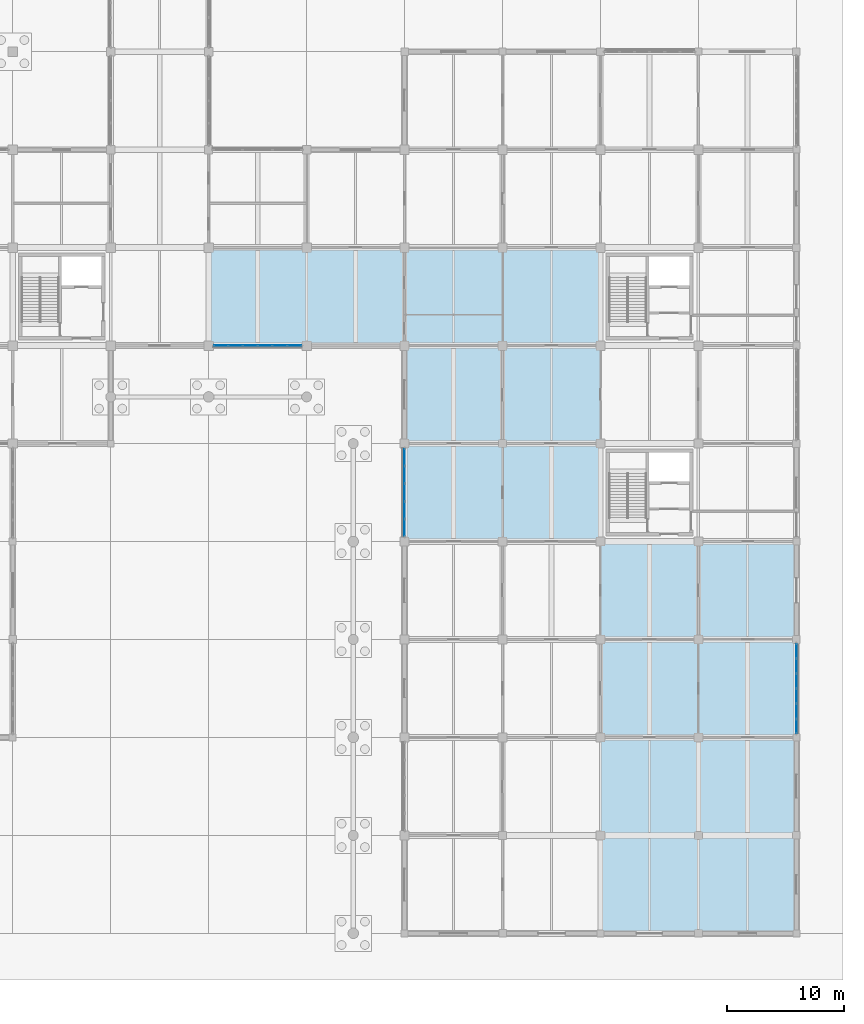
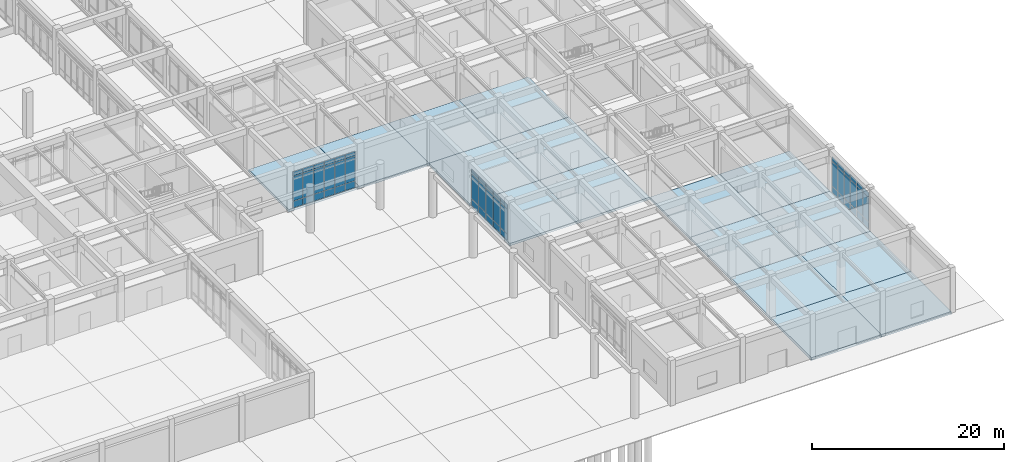
# One storey, part 60 of 91: 51 plates, 16 slabs, 3 elements without a shape of their own.
"""IFC4 building model written with IfcOpenShell, lengths in metres."""

from ifc_helpers import new_model, si_unit, direction, frame, origin, origin_2d, place, context, subcontext, project, spatial, polyline, rectangle, outline, extrude, material, layer, layer_set, type_object, element, aggregate, save


model = new_model("IFC4")

# Units and contexts
model_context = context("Model", 3, precision=1e-05, world=origin(), true_north=direction((0.0, 1.0)))
body_context = subcontext(model_context, "Body", "Model", "MODEL_VIEW")
ifc_project = project(units=[si_unit("LENGTHUNIT", "METRE"), si_unit("AREAUNIT", "SQUARE_METRE"), si_unit("VOLUMEUNIT", "CUBIC_METRE"), si_unit("PLANEANGLEUNIT", "RADIAN"), si_unit("MASSUNIT", "GRAM", prefix="KILO")], contexts=[model_context])

# Site, building, storey
site_placement = place(None, origin())
site = spatial("IfcSite", under=ifc_project, at=site_placement, CompositionType="ELEMENT")
building_placement = place(site_placement, origin())
building = spatial("IfcBuilding", under=site, at=building_placement, Name="Porcellanite Civic Hall", CompositionType="ELEMENT")
storey_placement = place(building_placement, origin())
storey = spatial("IfcBuildingStorey", under=building, at=storey_placement, Name="L00", CompositionType="ELEMENT", Elevation=0.0)

# Curtain wall, plates
ifc_material_1 = material(Name="Anodised aluminium and solar laminated glass", Category="aluminium")
ifc_layer_1 = layer(ifc_material_1, 0.179931640625)
ifc_layer_set_1 = layer_set([ifc_layer_1], Name="Anodised aluminium and solar laminated glass")
curtain_wall_type_1 = type_object("IfcCurtainWallType", Name="CW-SYS02", PredefinedType="NOTDEFINED", material=ifc_layer_set_1)
curtain_wall_1_placement = place(storey_placement, origin())
curtain_wall_1 = element("IfcCurtainWall", 1, at=curtain_wall_1_placement, inside=storey, type_object=curtain_wall_type_1, Name="Curtain wall CW-050", PredefinedType="NOTDEFINED")
ifc_material_2 = material(Name="Cyclone laminated solar-control low-E glass", Category="glass")
ifc_layer_2 = layer(ifc_material_2, 0.02587890625)
ifc_layer_set_2 = layer_set([ifc_layer_2], Name="Cyclone laminated solar-control low-E glass")
plate_type_1 = type_object("IfcPlateType", Name="CWP-02", PredefinedType="CURTAIN_PANEL", material=ifc_layer_set_2)
plate_1_placement = place(storey_placement, frame((142.800048828125, 34.779541015625, 0.06494140625), z_axis=(0.0, 0.0, 1.0), x_axis=(0.0, 1.0, 0.0)))
plate_1 = element("IfcPlate", 2, at=plate_1_placement, type_object=plate_type_1, Name="CW-050 panel 1.1", PredefinedType="CURTAIN_PANEL", context=body_context, shape_type="SweptSolid", body=[
    extrude(rectangle(XDim=1.406982421875, YDim=0.02587890625, at=origin_2d()), origin(), (0.0, 0.0, 1.0), 0.802490234375),
])
plate_2_placement = place(storey_placement, frame((142.800048828125, 34.779541015625, 0.9326171875), z_axis=(0.0, 0.0, 1.0), x_axis=(0.0, 1.0, 0.0)))
plate_2 = element("IfcPlate", 3, at=plate_2_placement, type_object=plate_type_1, Name="CW-050 panel 1.2", PredefinedType="CURTAIN_PANEL", context=body_context, shape_type="SweptSolid", body=[
    extrude(rectangle(XDim=1.406982421875, YDim=0.02587890625, at=origin_2d()), origin(), (0.0, 0.0, 1.0), 3.0849609375),
])
plate_3_placement = place(storey_placement, frame((142.800048828125, 34.779541015625, 4.08251953125), z_axis=(0.0, 0.0, 1.0), x_axis=(0.0, 1.0, 0.0)))
plate_3 = element("IfcPlate", 4, at=plate_3_placement, type_object=plate_type_1, Name="CW-050 panel 1.3", PredefinedType="CURTAIN_PANEL", context=body_context, shape_type="SweptSolid", body=[
    extrude(rectangle(XDim=1.406982421875, YDim=0.02587890625, at=origin_2d()), origin(), (0.0, 0.0, 1.0), 0.552490234375),
])
plate_4_placement = place(storey_placement, frame((142.800048828125, 36.280517578125, 0.06494140625), z_axis=(0.0, 0.0, 1.0), x_axis=(0.0, 1.0, 0.0)))
plate_4 = element("IfcPlate", 5, at=plate_4_placement, type_object=plate_type_1, Name="CW-050 panel 2.1", PredefinedType="CURTAIN_PANEL", context=body_context, shape_type="SweptSolid", body=[
    extrude(rectangle(XDim=1.444580078125, YDim=0.02587890625, at=origin_2d()), origin(), (0.0, 0.0, 1.0), 0.802490234375),
])
plate_5_placement = place(storey_placement, frame((142.800048828125, 36.280517578125, 0.9326171875), z_axis=(0.0, 0.0, 1.0), x_axis=(0.0, 1.0, 0.0)))
plate_5 = element("IfcPlate", 6, at=plate_5_placement, type_object=plate_type_1, Name="CW-050 panel 2.2", PredefinedType="CURTAIN_PANEL", context=body_context, shape_type="SweptSolid", body=[
    extrude(rectangle(XDim=1.444580078125, YDim=0.02587890625, at=origin_2d()), origin(), (0.0, 0.0, 1.0), 3.0849609375),
])
plate_6_placement = place(storey_placement, frame((142.800048828125, 36.280517578125, 4.08251953125), z_axis=(0.0, 0.0, 1.0), x_axis=(0.0, 1.0, 0.0)))
plate_6 = element("IfcPlate", 7, at=plate_6_placement, type_object=plate_type_1, Name="CW-050 panel 2.3", PredefinedType="CURTAIN_PANEL", context=body_context, shape_type="SweptSolid", body=[
    extrude(rectangle(XDim=1.444580078125, YDim=0.02587890625, at=origin_2d()), origin(), (0.0, 0.0, 1.0), 0.552490234375),
])
plate_7_placement = place(storey_placement, frame((142.800048828125, 37.800048828125, 0.06494140625), z_axis=(0.0, 0.0, 1.0), x_axis=(0.0, 1.0, 0.0)))
plate_7 = element("IfcPlate", 8, at=plate_7_placement, type_object=plate_type_1, Name="CW-050 panel 3.1", PredefinedType="CURTAIN_PANEL", context=body_context, shape_type="SweptSolid", body=[
    extrude(rectangle(XDim=1.444580078125, YDim=0.02587890625, at=origin_2d()), origin(), (0.0, 0.0, 1.0), 0.802490234375),
])
plate_8_placement = place(storey_placement, frame((142.800048828125, 37.800048828125, 0.9326171875), z_axis=(0.0, 0.0, 1.0), x_axis=(0.0, 1.0, 0.0)))
plate_8 = element("IfcPlate", 9, at=plate_8_placement, type_object=plate_type_1, Name="CW-050 panel 3.2", PredefinedType="CURTAIN_PANEL", context=body_context, shape_type="SweptSolid", body=[
    extrude(rectangle(XDim=1.444580078125, YDim=0.02587890625, at=origin_2d()), origin(), (0.0, 0.0, 1.0), 3.0849609375),
])
plate_9_placement = place(storey_placement, frame((142.800048828125, 37.800048828125, 4.08251953125), z_axis=(0.0, 0.0, 1.0), x_axis=(0.0, 1.0, 0.0)))
plate_9 = element("IfcPlate", 10, at=plate_9_placement, type_object=plate_type_1, Name="CW-050 panel 3.3", PredefinedType="CURTAIN_PANEL", context=body_context, shape_type="SweptSolid", body=[
    extrude(rectangle(XDim=1.444580078125, YDim=0.02587890625, at=origin_2d()), origin(), (0.0, 0.0, 1.0), 0.552490234375),
])
plate_10_placement = place(storey_placement, frame((142.800048828125, 39.319580078125, 0.06494140625), z_axis=(0.0, 0.0, 1.0), x_axis=(0.0, 1.0, 0.0)))
plate_10 = element("IfcPlate", 11, at=plate_10_placement, type_object=plate_type_1, Name="CW-050 panel 4.1", PredefinedType="CURTAIN_PANEL", context=body_context, shape_type="SweptSolid", body=[
    extrude(rectangle(XDim=1.444580078125, YDim=0.02587890625, at=origin_2d()), origin(), (0.0, 0.0, 1.0), 0.802490234375),
])
plate_11_placement = place(storey_placement, frame((142.800048828125, 39.319580078125, 0.9326171875), z_axis=(0.0, 0.0, 1.0), x_axis=(0.0, 1.0, 0.0)))
plate_11 = element("IfcPlate", 12, at=plate_11_placement, type_object=plate_type_1, Name="CW-050 panel 4.2", PredefinedType="CURTAIN_PANEL", context=body_context, shape_type="SweptSolid", body=[
    extrude(rectangle(XDim=1.444580078125, YDim=0.02587890625, at=origin_2d()), origin(), (0.0, 0.0, 1.0), 3.0849609375),
])
plate_12_placement = place(storey_placement, frame((142.800048828125, 39.319580078125, 4.08251953125), z_axis=(0.0, 0.0, 1.0), x_axis=(0.0, 1.0, 0.0)))
plate_12 = element("IfcPlate", 13, at=plate_12_placement, type_object=plate_type_1, Name="CW-050 panel 4.3", PredefinedType="CURTAIN_PANEL", context=body_context, shape_type="SweptSolid", body=[
    extrude(rectangle(XDim=1.444580078125, YDim=0.02587890625, at=origin_2d()), origin(), (0.0, 0.0, 1.0), 0.552490234375),
])
plate_13_placement = place(storey_placement, frame((142.800048828125, 40.820556640625, 0.06494140625), z_axis=(0.0, 0.0, 1.0), x_axis=(0.0, 1.0, 0.0)))
plate_13 = element("IfcPlate", 14, at=plate_13_placement, type_object=plate_type_1, Name="CW-050 panel 5.1", PredefinedType="CURTAIN_PANEL", context=body_context, shape_type="SweptSolid", body=[
    extrude(rectangle(XDim=1.406982421875, YDim=0.02587890625, at=origin_2d()), origin(), (0.0, 0.0, 1.0), 0.802490234375),
])
plate_14_placement = place(storey_placement, frame((142.800048828125, 40.820556640625, 0.9326171875), z_axis=(0.0, 0.0, 1.0), x_axis=(0.0, 1.0, 0.0)))
plate_14 = element("IfcPlate", 15, at=plate_14_placement, type_object=plate_type_1, Name="CW-050 panel 5.2", PredefinedType="CURTAIN_PANEL", context=body_context, shape_type="SweptSolid", body=[
    extrude(rectangle(XDim=1.406982421875, YDim=0.02587890625, at=origin_2d()), origin(), (0.0, 0.0, 1.0), 3.0849609375),
])
plate_15_placement = place(storey_placement, frame((142.800048828125, 40.820556640625, 4.08251953125), z_axis=(0.0, 0.0, 1.0), x_axis=(0.0, 1.0, 0.0)))
plate_15 = element("IfcPlate", 16, at=plate_15_placement, type_object=plate_type_1, Name="CW-050 panel 5.3", PredefinedType="CURTAIN_PANEL", context=body_context, shape_type="SweptSolid", body=[
    extrude(rectangle(XDim=1.406982421875, YDim=0.02587890625, at=origin_2d()), origin(), (0.0, 0.0, 1.0), 0.552490234375),
])
aggregate(curtain_wall_1, [plate_1, plate_2, plate_3, plate_4, plate_5, plate_6, plate_7, plate_8, plate_9, plate_10, plate_11, plate_12, plate_13, plate_14, plate_15])

curtain_wall_2_placement = place(storey_placement, origin())
curtain_wall_2 = element("IfcCurtainWall", 17, at=curtain_wall_2_placement, inside=storey, type_object=curtain_wall_type_1, Name="Curtain wall CW-057", PredefinedType="NOTDEFINED")
plate_16_placement = place(storey_placement, frame((176.39990234375, 24.20751953125, 0.06494140625), z_axis=(0.0, 0.0, 1.0), x_axis=(0.0, -1.0, 0.0)))
plate_16 = element("IfcPlate", 18, at=plate_16_placement, type_object=plate_type_1, Name="CW-057 panel 1.1", PredefinedType="CURTAIN_PANEL", context=body_context, shape_type="SweptSolid", body=[
    extrude(rectangle(XDim=1.18310546875, YDim=0.02587890625, at=origin_2d()), origin(), (0.0, 0.0, 1.0), 0.802490234375),
])
plate_17_placement = place(storey_placement, frame((176.39990234375, 24.20751953125, 0.9326171875), z_axis=(0.0, 0.0, 1.0), x_axis=(0.0, -1.0, 0.0)))
plate_17 = element("IfcPlate", 19, at=plate_17_placement, type_object=plate_type_1, Name="CW-057 panel 1.2", PredefinedType="CURTAIN_PANEL", context=body_context, shape_type="SweptSolid", body=[
    extrude(rectangle(XDim=1.18310546875, YDim=0.02587890625, at=origin_2d()), origin(), (0.0, 0.0, 1.0), 3.0849609375),
])
plate_18_placement = place(storey_placement, frame((176.39990234375, 24.20751953125, 4.08251953125), z_axis=(0.0, 0.0, 1.0), x_axis=(0.0, -1.0, 0.0)))
plate_18 = element("IfcPlate", 20, at=plate_18_placement, type_object=plate_type_1, Name="CW-057 panel 1.3", PredefinedType="CURTAIN_PANEL", context=body_context, shape_type="SweptSolid", body=[
    extrude(rectangle(XDim=1.18310546875, YDim=0.02587890625, at=origin_2d()), origin(), (0.0, 0.0, 1.0), 0.552490234375),
])
plate_19_placement = place(storey_placement, frame((176.39990234375, 22.9306640625, 0.06494140625), z_axis=(0.0, 0.0, 1.0), x_axis=(0.0, -1.0, 0.0)))
plate_19 = element("IfcPlate", 21, at=plate_19_placement, type_object=plate_type_1, Name="CW-057 panel 2.1", PredefinedType="CURTAIN_PANEL", context=body_context, shape_type="SweptSolid", body=[
    extrude(rectangle(XDim=1.220458984375, YDim=0.02587890625, at=origin_2d()), origin(), (0.0, 0.0, 1.0), 0.802490234375),
])
plate_20_placement = place(storey_placement, frame((176.39990234375, 22.9306640625, 0.9326171875), z_axis=(0.0, 0.0, 1.0), x_axis=(0.0, -1.0, 0.0)))
plate_20 = element("IfcPlate", 22, at=plate_20_placement, type_object=plate_type_1, Name="CW-057 panel 2.2", PredefinedType="CURTAIN_PANEL", context=body_context, shape_type="SweptSolid", body=[
    extrude(rectangle(XDim=1.220458984375, YDim=0.02587890625, at=origin_2d()), origin(), (0.0, 0.0, 1.0), 3.0849609375),
])
plate_21_placement = place(storey_placement, frame((176.39990234375, 22.9306640625, 4.08251953125), z_axis=(0.0, 0.0, 1.0), x_axis=(0.0, -1.0, 0.0)))
plate_21 = element("IfcPlate", 23, at=plate_21_placement, type_object=plate_type_1, Name="CW-057 panel 2.3", PredefinedType="CURTAIN_PANEL", context=body_context, shape_type="SweptSolid", body=[
    extrude(rectangle(XDim=1.220458984375, YDim=0.02587890625, at=origin_2d()), origin(), (0.0, 0.0, 1.0), 0.552490234375),
])
plate_22_placement = place(storey_placement, frame((176.39990234375, 21.63525390625, 0.06494140625), z_axis=(0.0, 0.0, 1.0), x_axis=(0.0, -1.0, 0.0)))
plate_22 = element("IfcPlate", 24, at=plate_22_placement, type_object=plate_type_1, Name="CW-057 panel 3.1", PredefinedType="CURTAIN_PANEL", context=body_context, shape_type="SweptSolid", body=[
    extrude(rectangle(XDim=1.220458984375, YDim=0.02587890625, at=origin_2d()), origin(), (0.0, 0.0, 1.0), 0.802490234375),
])
plate_23_placement = place(storey_placement, frame((176.39990234375, 21.63525390625, 0.9326171875), z_axis=(0.0, 0.0, 1.0), x_axis=(0.0, -1.0, 0.0)))
plate_23 = element("IfcPlate", 25, at=plate_23_placement, type_object=plate_type_1, Name="CW-057 panel 3.2", PredefinedType="CURTAIN_PANEL", context=body_context, shape_type="SweptSolid", body=[
    extrude(rectangle(XDim=1.220458984375, YDim=0.02587890625, at=origin_2d()), origin(), (0.0, 0.0, 1.0), 3.0849609375),
])
plate_24_placement = place(storey_placement, frame((176.39990234375, 21.63525390625, 4.08251953125), z_axis=(0.0, 0.0, 1.0), x_axis=(0.0, -1.0, 0.0)))
plate_24 = element("IfcPlate", 26, at=plate_24_placement, type_object=plate_type_1, Name="CW-057 panel 3.3", PredefinedType="CURTAIN_PANEL", context=body_context, shape_type="SweptSolid", body=[
    extrude(rectangle(XDim=1.220458984375, YDim=0.02587890625, at=origin_2d()), origin(), (0.0, 0.0, 1.0), 0.552490234375),
])
plate_25_placement = place(storey_placement, frame((176.39990234375, 20.33984375, 0.06494140625), z_axis=(0.0, 0.0, 1.0), x_axis=(0.0, -1.0, 0.0)))
plate_25 = element("IfcPlate", 27, at=plate_25_placement, type_object=plate_type_1, Name="CW-057 panel 4.1", PredefinedType="CURTAIN_PANEL", context=body_context, shape_type="SweptSolid", body=[
    extrude(rectangle(XDim=1.220458984375, YDim=0.02587890625, at=origin_2d()), origin(), (0.0, 0.0, 1.0), 0.802490234375),
])
plate_26_placement = place(storey_placement, frame((176.39990234375, 20.33984375, 0.9326171875), z_axis=(0.0, 0.0, 1.0), x_axis=(0.0, -1.0, 0.0)))
plate_26 = element("IfcPlate", 28, at=plate_26_placement, type_object=plate_type_1, Name="CW-057 panel 4.2", PredefinedType="CURTAIN_PANEL", context=body_context, shape_type="SweptSolid", body=[
    extrude(rectangle(XDim=1.220458984375, YDim=0.02587890625, at=origin_2d()), origin(), (0.0, 0.0, 1.0), 3.0849609375),
])
plate_27_placement = place(storey_placement, frame((176.39990234375, 20.33984375, 4.08251953125), z_axis=(0.0, 0.0, 1.0), x_axis=(0.0, -1.0, 0.0)))
plate_27 = element("IfcPlate", 29, at=plate_27_placement, type_object=plate_type_1, Name="CW-057 panel 4.3", PredefinedType="CURTAIN_PANEL", context=body_context, shape_type="SweptSolid", body=[
    extrude(rectangle(XDim=1.220458984375, YDim=0.02587890625, at=origin_2d()), origin(), (0.0, 0.0, 1.0), 0.552490234375),
])
plate_28_placement = place(storey_placement, frame((176.39990234375, 19.044189453125, 0.06494140625), z_axis=(0.0, 0.0, 1.0), x_axis=(0.0, -1.0, 0.0)))
plate_28 = element("IfcPlate", 30, at=plate_28_placement, type_object=plate_type_1, Name="CW-057 panel 5.1", PredefinedType="CURTAIN_PANEL", context=body_context, shape_type="SweptSolid", body=[
    extrude(rectangle(XDim=1.220458984375, YDim=0.02587890625, at=origin_2d()), origin(), (0.0, 0.0, 1.0), 0.802490234375),
])
plate_29_placement = place(storey_placement, frame((176.39990234375, 19.044189453125, 0.9326171875), z_axis=(0.0, 0.0, 1.0), x_axis=(0.0, -1.0, 0.0)))
plate_29 = element("IfcPlate", 31, at=plate_29_placement, type_object=plate_type_1, Name="CW-057 panel 5.2", PredefinedType="CURTAIN_PANEL", context=body_context, shape_type="SweptSolid", body=[
    extrude(rectangle(XDim=1.220458984375, YDim=0.02587890625, at=origin_2d()), origin(), (0.0, 0.0, 1.0), 3.0849609375),
])
plate_30_placement = place(storey_placement, frame((176.39990234375, 19.044189453125, 4.08251953125), z_axis=(0.0, 0.0, 1.0), x_axis=(0.0, -1.0, 0.0)))
plate_30 = element("IfcPlate", 32, at=plate_30_placement, type_object=plate_type_1, Name="CW-057 panel 5.3", PredefinedType="CURTAIN_PANEL", context=body_context, shape_type="SweptSolid", body=[
    extrude(rectangle(XDim=1.220458984375, YDim=0.02587890625, at=origin_2d()), origin(), (0.0, 0.0, 1.0), 0.552490234375),
])
plate_31_placement = place(storey_placement, frame((176.39990234375, 17.767578125, 0.06494140625), z_axis=(0.0, 0.0, 1.0), x_axis=(0.0, -1.0, 0.0)))
plate_31 = element("IfcPlate", 33, at=plate_31_placement, type_object=plate_type_1, Name="CW-057 panel 6.1", PredefinedType="CURTAIN_PANEL", context=body_context, shape_type="SweptSolid", body=[
    extrude(rectangle(XDim=1.18310546875, YDim=0.02587890625, at=origin_2d()), origin(), (0.0, 0.0, 1.0), 0.802490234375),
])
plate_32_placement = place(storey_placement, frame((176.39990234375, 17.767578125, 0.9326171875), z_axis=(0.0, 0.0, 1.0), x_axis=(0.0, -1.0, 0.0)))
plate_32 = element("IfcPlate", 34, at=plate_32_placement, type_object=plate_type_1, Name="CW-057 panel 6.2", PredefinedType="CURTAIN_PANEL", context=body_context, shape_type="SweptSolid", body=[
    extrude(rectangle(XDim=1.18310546875, YDim=0.02587890625, at=origin_2d()), origin(), (0.0, 0.0, 1.0), 3.0849609375),
])
plate_33_placement = place(storey_placement, frame((176.39990234375, 17.767578125, 4.08251953125), z_axis=(0.0, 0.0, 1.0), x_axis=(0.0, -1.0, 0.0)))
plate_33 = element("IfcPlate", 35, at=plate_33_placement, type_object=plate_type_1, Name="CW-057 panel 6.3", PredefinedType="CURTAIN_PANEL", context=body_context, shape_type="SweptSolid", body=[
    extrude(rectangle(XDim=1.18310546875, YDim=0.02587890625, at=origin_2d()), origin(), (0.0, 0.0, 1.0), 0.552490234375),
])
aggregate(curtain_wall_2, [plate_16, plate_17, plate_18, plate_19, plate_20, plate_21, plate_22, plate_23, plate_24, plate_25, plate_26, plate_27, plate_28, plate_29, plate_30, plate_31, plate_32, plate_33])

ifc_material_3 = material(Name="Anodised aluminium and solar laminated glass", Category="aluminium")
ifc_layer_3 = layer(ifc_material_3, 0.179931640625)
ifc_layer_set_3 = layer_set([ifc_layer_3], Name="Anodised aluminium and solar laminated glass")
curtain_wall_type_2 = type_object("IfcCurtainWallType", Name="CW-SYS07", PredefinedType="NOTDEFINED", material=ifc_layer_set_3)
curtain_wall_3_placement = place(storey_placement, origin())
curtain_wall_3 = element("IfcCurtainWall", 36, at=curtain_wall_3_placement, inside=storey, type_object=curtain_wall_type_2, Name="Curtain wall CW-045", PredefinedType="NOTDEFINED")
ifc_material_4 = material(Name="Cyclone laminated solar-control low-E glass", Category="glass")
ifc_layer_4 = layer(ifc_material_4, 0.033935546875)
ifc_layer_set_4 = layer_set([ifc_layer_4], Name="Cyclone laminated solar-control low-E glass")
plate_type_2 = type_object("IfcPlateType", Name="CWP-06", PredefinedType="CURTAIN_PANEL", material=ifc_layer_set_4)
plate_34_placement = place(storey_placement, frame((133.350830078125, 50.39990234375, 0.0498046875), z_axis=(0.0, 0.0, 1.0), x_axis=(-1.0, 0.0, 0.0)))
plate_34 = element("IfcPlate", 37, at=plate_34_placement, type_object=plate_type_2, Name="CW-045 panel 1.1", PredefinedType="CURTAIN_PANEL", context=body_context, shape_type="SweptSolid", body=[
    extrude(rectangle(XDim=1.17626953125, YDim=0.033935546875, at=origin_2d()), origin(), (0.0, 0.0, 1.0), 0.824951171875),
])
plate_35_placement = place(storey_placement, frame((133.350830078125, 50.39990234375, 0.925048828125), z_axis=(0.0, 0.0, 1.0), x_axis=(-1.0, 0.0, 0.0)))
plate_35 = element("IfcPlate", 38, at=plate_35_placement, type_object=plate_type_2, Name="CW-045 panel 1.2", PredefinedType="CURTAIN_PANEL", context=body_context, shape_type="SweptSolid", body=[
    extrude(rectangle(XDim=1.17626953125, YDim=0.033935546875, at=origin_2d()), origin(), (0.0, 0.0, 1.0), 3.10009765625),
])
plate_36_placement = place(storey_placement, frame((133.350830078125, 50.39990234375, 4.0751953125), z_axis=(0.0, 0.0, 1.0), x_axis=(-1.0, 0.0, 0.0)))
plate_36 = element("IfcPlate", 39, at=plate_36_placement, type_object=plate_type_2, Name="CW-045 panel 1.3", PredefinedType="CURTAIN_PANEL", context=body_context, shape_type="SweptSolid", body=[
    extrude(rectangle(XDim=1.17626953125, YDim=0.033935546875, at=origin_2d()), origin(), (0.0, 0.0, 1.0), 0.574951171875),
])
plate_37_placement = place(storey_placement, frame((132.099609375, 50.39990234375, 0.0498046875), z_axis=(0.0, 0.0, 1.0), x_axis=(-1.0, 0.0, 0.0)))
plate_37 = element("IfcPlate", 40, at=plate_37_placement, type_object=plate_type_2, Name="CW-045 panel 2.1", PredefinedType="CURTAIN_PANEL", context=body_context, shape_type="SweptSolid", body=[
    extrude(rectangle(XDim=1.206298828125, YDim=0.033935546875, at=origin_2d()), origin(), (0.0, 0.0, 1.0), 0.824951171875),
])
plate_38_placement = place(storey_placement, frame((132.099609375, 50.39990234375, 0.925048828125), z_axis=(0.0, 0.0, 1.0), x_axis=(-1.0, 0.0, 0.0)))
plate_38 = element("IfcPlate", 41, at=plate_38_placement, type_object=plate_type_2, Name="CW-045 panel 2.2", PredefinedType="CURTAIN_PANEL", context=body_context, shape_type="SweptSolid", body=[
    extrude(rectangle(XDim=1.206298828125, YDim=0.033935546875, at=origin_2d()), origin(), (0.0, 0.0, 1.0), 3.10009765625),
])
plate_39_placement = place(storey_placement, frame((132.099609375, 50.39990234375, 4.0751953125), z_axis=(0.0, 0.0, 1.0), x_axis=(-1.0, 0.0, 0.0)))
plate_39 = element("IfcPlate", 42, at=plate_39_placement, type_object=plate_type_2, Name="CW-045 panel 2.3", PredefinedType="CURTAIN_PANEL", context=body_context, shape_type="SweptSolid", body=[
    extrude(rectangle(XDim=1.206298828125, YDim=0.033935546875, at=origin_2d()), origin(), (0.0, 0.0, 1.0), 0.574951171875),
])
plate_40_placement = place(storey_placement, frame((130.833251953125, 50.39990234375, 0.0498046875), z_axis=(0.0, 0.0, 1.0), x_axis=(-1.0, 0.0, 0.0)))
plate_40 = element("IfcPlate", 43, at=plate_40_placement, type_object=plate_type_2, Name="CW-045 panel 3.1", PredefinedType="CURTAIN_PANEL", context=body_context, shape_type="SweptSolid", body=[
    extrude(rectangle(XDim=1.206298828125, YDim=0.033935546875, at=origin_2d()), origin(), (0.0, 0.0, 1.0), 0.824951171875),
])
plate_41_placement = place(storey_placement, frame((130.833251953125, 50.39990234375, 0.925048828125), z_axis=(0.0, 0.0, 1.0), x_axis=(-1.0, 0.0, 0.0)))
plate_41 = element("IfcPlate", 44, at=plate_41_placement, type_object=plate_type_2, Name="CW-045 panel 3.2", PredefinedType="CURTAIN_PANEL", context=body_context, shape_type="SweptSolid", body=[
    extrude(rectangle(XDim=1.206298828125, YDim=0.033935546875, at=origin_2d()), origin(), (0.0, 0.0, 1.0), 3.10009765625),
])
plate_42_placement = place(storey_placement, frame((130.833251953125, 50.39990234375, 4.0751953125), z_axis=(0.0, 0.0, 1.0), x_axis=(-1.0, 0.0, 0.0)))
plate_42 = element("IfcPlate", 45, at=plate_42_placement, type_object=plate_type_2, Name="CW-045 panel 3.3", PredefinedType="CURTAIN_PANEL", context=body_context, shape_type="SweptSolid", body=[
    extrude(rectangle(XDim=1.206298828125, YDim=0.033935546875, at=origin_2d()), origin(), (0.0, 0.0, 1.0), 0.574951171875),
])
plate_43_placement = place(storey_placement, frame((129.56689453125, 50.39990234375, 0.0498046875), z_axis=(0.0, 0.0, 1.0), x_axis=(-1.0, 0.0, 0.0)))
plate_43 = element("IfcPlate", 46, at=plate_43_placement, type_object=plate_type_2, Name="CW-045 panel 4.1", PredefinedType="CURTAIN_PANEL", context=body_context, shape_type="SweptSolid", body=[
    extrude(rectangle(XDim=1.206298828125, YDim=0.033935546875, at=origin_2d()), origin(), (0.0, 0.0, 1.0), 0.824951171875),
])
plate_44_placement = place(storey_placement, frame((129.56689453125, 50.39990234375, 0.925048828125), z_axis=(0.0, 0.0, 1.0), x_axis=(-1.0, 0.0, 0.0)))
plate_44 = element("IfcPlate", 47, at=plate_44_placement, type_object=plate_type_2, Name="CW-045 panel 4.2", PredefinedType="CURTAIN_PANEL", context=body_context, shape_type="SweptSolid", body=[
    extrude(rectangle(XDim=1.206298828125, YDim=0.033935546875, at=origin_2d()), origin(), (0.0, 0.0, 1.0), 3.10009765625),
])
plate_45_placement = place(storey_placement, frame((129.56689453125, 50.39990234375, 4.0751953125), z_axis=(0.0, 0.0, 1.0), x_axis=(-1.0, 0.0, 0.0)))
plate_45 = element("IfcPlate", 48, at=plate_45_placement, type_object=plate_type_2, Name="CW-045 panel 4.3", PredefinedType="CURTAIN_PANEL", context=body_context, shape_type="SweptSolid", body=[
    extrude(rectangle(XDim=1.206298828125, YDim=0.033935546875, at=origin_2d()), origin(), (0.0, 0.0, 1.0), 0.574951171875),
])
plate_46_placement = place(storey_placement, frame((128.300537109375, 50.39990234375, 0.0498046875), z_axis=(0.0, 0.0, 1.0), x_axis=(-1.0, 0.0, 0.0)))
plate_46 = element("IfcPlate", 49, at=plate_46_placement, type_object=plate_type_2, Name="CW-045 panel 5.1", PredefinedType="CURTAIN_PANEL", context=body_context, shape_type="SweptSolid", body=[
    extrude(rectangle(XDim=1.206298828125, YDim=0.033935546875, at=origin_2d()), origin(), (0.0, 0.0, 1.0), 0.824951171875),
])
plate_47_placement = place(storey_placement, frame((128.300537109375, 50.39990234375, 0.925048828125), z_axis=(0.0, 0.0, 1.0), x_axis=(-1.0, 0.0, 0.0)))
plate_47 = element("IfcPlate", 50, at=plate_47_placement, type_object=plate_type_2, Name="CW-045 panel 5.2", PredefinedType="CURTAIN_PANEL", context=body_context, shape_type="SweptSolid", body=[
    extrude(rectangle(XDim=1.206298828125, YDim=0.033935546875, at=origin_2d()), origin(), (0.0, 0.0, 1.0), 3.10009765625),
])
plate_48_placement = place(storey_placement, frame((128.300537109375, 50.39990234375, 4.0751953125), z_axis=(0.0, 0.0, 1.0), x_axis=(-1.0, 0.0, 0.0)))
plate_48 = element("IfcPlate", 51, at=plate_48_placement, type_object=plate_type_2, Name="CW-045 panel 5.3", PredefinedType="CURTAIN_PANEL", context=body_context, shape_type="SweptSolid", body=[
    extrude(rectangle(XDim=1.206298828125, YDim=0.033935546875, at=origin_2d()), origin(), (0.0, 0.0, 1.0), 0.574951171875),
])
plate_49_placement = place(storey_placement, frame((127.049072265625, 50.39990234375, 0.0498046875), z_axis=(0.0, 0.0, 1.0), x_axis=(-1.0, 0.0, 0.0)))
plate_49 = element("IfcPlate", 52, at=plate_49_placement, type_object=plate_type_2, Name="CW-045 panel 6.1", PredefinedType="CURTAIN_PANEL", context=body_context, shape_type="SweptSolid", body=[
    extrude(rectangle(XDim=1.17626953125, YDim=0.033935546875, at=origin_2d()), origin(), (0.0, 0.0, 1.0), 0.824951171875),
])
plate_50_placement = place(storey_placement, frame((127.049072265625, 50.39990234375, 0.925048828125), z_axis=(0.0, 0.0, 1.0), x_axis=(-1.0, 0.0, 0.0)))
plate_50 = element("IfcPlate", 53, at=plate_50_placement, type_object=plate_type_2, Name="CW-045 panel 6.2", PredefinedType="CURTAIN_PANEL", context=body_context, shape_type="SweptSolid", body=[
    extrude(rectangle(XDim=1.17626953125, YDim=0.033935546875, at=origin_2d()), origin(), (0.0, 0.0, 1.0), 3.10009765625),
])
plate_51_placement = place(storey_placement, frame((127.049072265625, 50.39990234375, 4.0751953125), z_axis=(0.0, 0.0, 1.0), x_axis=(-1.0, 0.0, 0.0)))
plate_51 = element("IfcPlate", 54, at=plate_51_placement, type_object=plate_type_2, Name="CW-045 panel 6.3", PredefinedType="CURTAIN_PANEL", context=body_context, shape_type="SweptSolid", body=[
    extrude(rectangle(XDim=1.17626953125, YDim=0.033935546875, at=origin_2d()), origin(), (0.0, 0.0, 1.0), 0.574951171875),
])
aggregate(curtain_wall_3, [plate_34, plate_35, plate_36, plate_37, plate_38, plate_39, plate_40, plate_41, plate_42, plate_43, plate_44, plate_45, plate_46, plate_47, plate_48, plate_49, plate_50, plate_51])

# Slabs
ifc_material_5 = material(Name="Concrete N40 (40 MPa)", Category="concrete")
ifc_layer_5 = layer(ifc_material_5, 0.35009765625)
ifc_layer_set_5 = layer_set([ifc_layer_5], Name="Concrete N40 (40 MPa)")
slab_type_1 = type_object("IfcSlabType", Name="SL-BASE350", PredefinedType="BASESLAB", material=ifc_layer_set_5)
slab_1_placement = place(storey_placement, frame((0.0, 0.0, -0.35009765625)))
element("IfcSlab", 55, at=slab_1_placement, inside=storey, type_object=slab_type_1, Name="Slab L00 bay 20-1", PredefinedType="BASESLAB", context=body_context, shape_type="SweptSolid", body=[
    extrude(outline(polyline([(159.60009765625, 0.0), (168.0, 0.0), (168.0, 8.39990234375), (159.60009765625, 8.39990234375), (159.60009765625, 0.0)])), origin(), (0.0, 0.0, 1.0), 0.35009765625),
])
slab_2_placement = place(storey_placement, frame((0.0, 0.0, -0.35009765625)))
element("IfcSlab", 56, at=slab_2_placement, inside=storey, type_object=slab_type_1, Name="Slab L00 bay 20-2", PredefinedType="BASESLAB", context=body_context, shape_type="SweptSolid", body=[
    extrude(outline(polyline([(159.60009765625, 8.39990234375), (168.0, 8.39990234375), (168.0, 16.800048828125), (159.60009765625, 16.800048828125), (159.60009765625, 8.39990234375)])), origin(), (0.0, 0.0, 1.0), 0.35009765625),
])
slab_3_placement = place(storey_placement, frame((0.0, 0.0, -0.35009765625)))
element("IfcSlab", 57, at=slab_3_placement, inside=storey, type_object=slab_type_1, Name="Slab L00 bay 21-1", PredefinedType="BASESLAB", context=body_context, shape_type="SweptSolid", body=[
    extrude(outline(polyline([(168.0, 0.0), (176.39990234375, 0.0), (176.39990234375, 8.39990234375), (168.0, 8.39990234375), (168.0, 0.0)])), origin(), (0.0, 0.0, 1.0), 0.35009765625),
])
slab_4_placement = place(storey_placement, frame((0.0, 0.0, -0.35009765625)))
element("IfcSlab", 58, at=slab_4_placement, inside=storey, type_object=slab_type_1, Name="Slab L00 bay 21-2", PredefinedType="BASESLAB", context=body_context, shape_type="SweptSolid", body=[
    extrude(outline(polyline([(168.0, 8.39990234375), (176.39990234375, 8.39990234375), (176.39990234375, 16.800048828125), (168.0, 16.800048828125), (168.0, 8.39990234375)])), origin(), (0.0, 0.0, 1.0), 0.35009765625),
])
slab_5_placement = place(storey_placement, frame((0.0, 0.0, -0.35009765625)))
element("IfcSlab", 59, at=slab_5_placement, inside=storey, type_object=slab_type_1, Name="Slab L00 bay 21-3", PredefinedType="BASESLAB", context=body_context, shape_type="SweptSolid", body=[
    extrude(outline(polyline([(168.0, 16.800048828125), (176.39990234375, 16.800048828125), (176.39990234375, 25.199951171875), (168.0, 25.199951171875), (168.0, 16.800048828125)])), origin(), (0.0, 0.0, 1.0), 0.35009765625),
])
slab_6_placement = place(storey_placement, frame((0.0, 0.0, -0.35009765625)))
element("IfcSlab", 60, at=slab_6_placement, inside=storey, type_object=slab_type_1, Name="Slab L00 bay 21-4", PredefinedType="BASESLAB", context=body_context, shape_type="SweptSolid", body=[
    extrude(outline(polyline([(168.0, 25.199951171875), (176.39990234375, 25.199951171875), (176.39990234375, 33.60009765625), (168.0, 33.60009765625), (168.0, 25.199951171875)])), origin(), (0.0, 0.0, 1.0), 0.35009765625),
])
ifc_material_6 = material(Name="Concrete N40 (40 MPa)", Category="concrete")
ifc_layer_6 = layer(ifc_material_6, 0.300048828125)
ifc_layer_set_6 = layer_set([ifc_layer_6], Name="Concrete N40 (40 MPa)")
slab_type_2 = type_object("IfcSlabType", Name="SL-TR300", PredefinedType="FLOOR", material=ifc_layer_set_6)
slab_7_placement = place(storey_placement, frame((0.0, 0.0, -0.300048828125)))
element("IfcSlab", 61, at=slab_7_placement, inside=storey, type_object=slab_type_2, Name="Slab L00 bay 16-7", PredefinedType="FLOOR", context=body_context, shape_type="SweptSolid", body=[
    extrude(outline(polyline([(126.0, 50.39990234375), (134.39990234375, 50.39990234375), (134.39990234375, 58.800048828125), (126.0, 58.800048828125), (126.0, 50.39990234375)])), origin(), (0.0, 0.0, 1.0), 0.300048828125),
])
slab_8_placement = place(storey_placement, frame((0.0, 0.0, -0.300048828125)))
element("IfcSlab", 62, at=slab_8_placement, inside=storey, type_object=slab_type_2, Name="Slab L00 bay 17-7", PredefinedType="FLOOR", context=body_context, shape_type="SweptSolid", body=[
    extrude(outline(polyline([(134.39990234375, 50.39990234375), (142.800048828125, 50.39990234375), (142.800048828125, 58.800048828125), (134.39990234375, 58.800048828125), (134.39990234375, 50.39990234375)])), origin(), (0.0, 0.0, 1.0), 0.300048828125),
])
slab_9_placement = place(storey_placement, frame((0.0, 0.0, -0.300048828125)))
element("IfcSlab", 63, at=slab_9_placement, inside=storey, type_object=slab_type_2, Name="Slab L00 bay 18-5", PredefinedType="FLOOR", context=body_context, shape_type="SweptSolid", body=[
    extrude(outline(polyline([(142.800048828125, 33.60009765625), (151.199951171875, 33.60009765625), (151.199951171875, 42.0), (142.800048828125, 42.0), (142.800048828125, 33.60009765625)])), origin(), (0.0, 0.0, 1.0), 0.300048828125),
])
slab_10_placement = place(storey_placement, frame((0.0, 0.0, -0.300048828125)))
element("IfcSlab", 64, at=slab_10_placement, inside=storey, type_object=slab_type_2, Name="Slab L00 bay 18-6", PredefinedType="FLOOR", context=body_context, shape_type="SweptSolid", body=[
    extrude(outline(polyline([(142.800048828125, 42.0), (151.199951171875, 42.0), (151.199951171875, 50.39990234375), (142.800048828125, 50.39990234375), (142.800048828125, 42.0)])), origin(), (0.0, 0.0, 1.0), 0.300048828125),
])
slab_11_placement = place(storey_placement, frame((0.0, 0.0, -0.300048828125)))
element("IfcSlab", 65, at=slab_11_placement, inside=storey, type_object=slab_type_2, Name="Slab L00 bay 18-7", PredefinedType="FLOOR", context=body_context, shape_type="SweptSolid", body=[
    extrude(outline(polyline([(142.800048828125, 50.39990234375), (151.199951171875, 50.39990234375), (151.199951171875, 58.800048828125), (142.800048828125, 58.800048828125), (142.800048828125, 50.39990234375)])), origin(), (0.0, 0.0, 1.0), 0.300048828125),
])
slab_12_placement = place(storey_placement, frame((0.0, 0.0, -0.300048828125)))
element("IfcSlab", 66, at=slab_12_placement, inside=storey, type_object=slab_type_2, Name="Slab L00 bay 19-5", PredefinedType="FLOOR", context=body_context, shape_type="SweptSolid", body=[
    extrude(outline(polyline([(151.199951171875, 33.60009765625), (159.60009765625, 33.60009765625), (159.60009765625, 42.0), (151.199951171875, 42.0), (151.199951171875, 33.60009765625)])), origin(), (0.0, 0.0, 1.0), 0.300048828125),
])
slab_13_placement = place(storey_placement, frame((0.0, 0.0, -0.300048828125)))
element("IfcSlab", 67, at=slab_13_placement, inside=storey, type_object=slab_type_2, Name="Slab L00 bay 19-6", PredefinedType="FLOOR", context=body_context, shape_type="SweptSolid", body=[
    extrude(outline(polyline([(151.199951171875, 42.0), (159.60009765625, 42.0), (159.60009765625, 50.39990234375), (151.199951171875, 50.39990234375), (151.199951171875, 42.0)])), origin(), (0.0, 0.0, 1.0), 0.300048828125),
])
slab_14_placement = place(storey_placement, frame((0.0, 0.0, -0.300048828125)))
element("IfcSlab", 68, at=slab_14_placement, inside=storey, type_object=slab_type_2, Name="Slab L00 bay 19-7", PredefinedType="FLOOR", context=body_context, shape_type="SweptSolid", body=[
    extrude(outline(polyline([(151.199951171875, 50.39990234375), (159.60009765625, 50.39990234375), (159.60009765625, 58.800048828125), (151.199951171875, 58.800048828125), (151.199951171875, 50.39990234375)])), origin(), (0.0, 0.0, 1.0), 0.300048828125),
])
slab_15_placement = place(storey_placement, frame((0.0, 0.0, -0.300048828125)))
element("IfcSlab", 69, at=slab_15_placement, inside=storey, type_object=slab_type_2, Name="Slab L00 bay 20-3", PredefinedType="FLOOR", context=body_context, shape_type="SweptSolid", body=[
    extrude(outline(polyline([(159.60009765625, 16.800048828125), (168.0, 16.800048828125), (168.0, 25.199951171875), (159.60009765625, 25.199951171875), (159.60009765625, 16.800048828125)])), origin(), (0.0, 0.0, 1.0), 0.300048828125),
])
slab_16_placement = place(storey_placement, frame((0.0, 0.0, -0.300048828125)))
element("IfcSlab", 70, at=slab_16_placement, inside=storey, type_object=slab_type_2, Name="Slab L00 bay 20-4", PredefinedType="FLOOR", context=body_context, shape_type="SweptSolid", body=[
    extrude(outline(polyline([(159.60009765625, 25.199951171875), (168.0, 25.199951171875), (168.0, 33.60009765625), (159.60009765625, 33.60009765625), (159.60009765625, 25.199951171875)])), origin(), (0.0, 0.0, 1.0), 0.300048828125),
])

save(model, "model.ifc")
